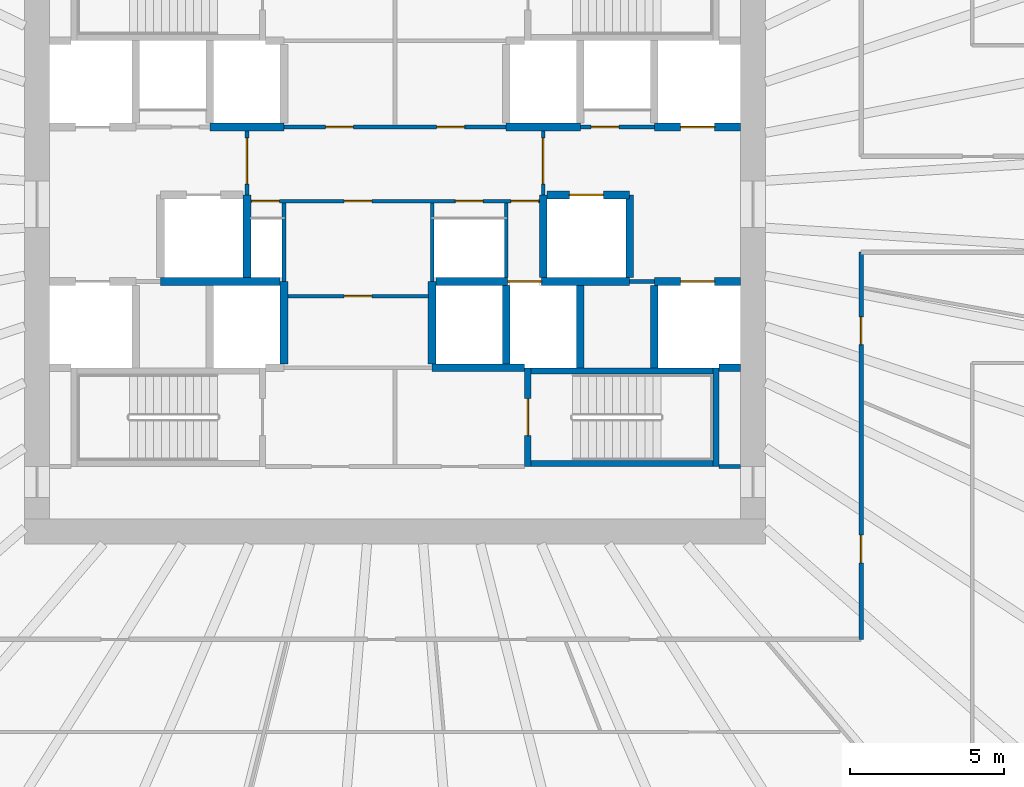
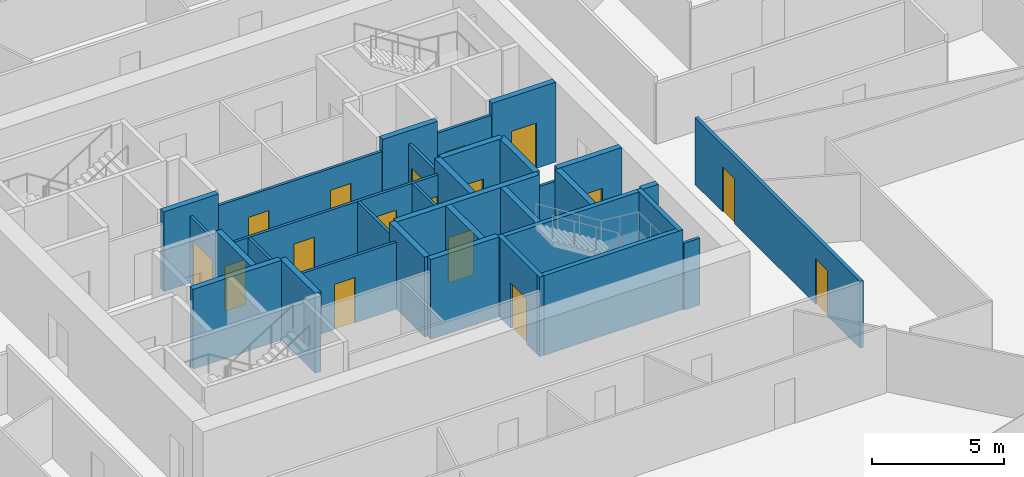
# One storey, part 7 of 10: 33 walls, 17 doors, 17 openings.
"""IFC4 building model written with IfcOpenShell, lengths in metres."""

from ifc_helpers import new_model, si_unit, direction, frame, frame_2d, origin, place, context, subcontext, project, spatial, rectangle, extrude, source, transform, mapped, material, layer, layer_set, type_object, element, fill, save


model = new_model("IFC4")

# Units and contexts
model_context = context("Model", 3, precision=1e-05, world=origin(), true_north=direction((0.0, 1.0)))
body_context = subcontext(model_context, "Body", "Model", "MODEL_VIEW")
ifc_project = project(units=[si_unit("LENGTHUNIT", "METRE"), si_unit("AREAUNIT", "SQUARE_METRE"), si_unit("VOLUMEUNIT", "CUBIC_METRE"), si_unit("PLANEANGLEUNIT", "RADIAN"), si_unit("MASSUNIT", "GRAM", prefix="KILO")], contexts=[model_context])

# Site, building, storey
site_placement = place(None, origin())
site = spatial("IfcSite", under=ifc_project, at=site_placement, CompositionType="ELEMENT")
building_placement = place(site_placement, origin())
building = spatial("IfcBuilding", under=site, at=building_placement, Name="Embergate Tower", CompositionType="ELEMENT")
storey_placement = place(building_placement, frame((0.0, 0.0, 152.10009765625)))
storey = spatial("IfcBuildingStorey", under=building, at=storey_placement, Name="L33", CompositionType="ELEMENT", Elevation=152.10009765625)

# Walls
ifc_material_1 = material(Name="Concrete C50", Category="concrete")
ifc_layer_1 = layer(ifc_material_1, 0.25)
ifc_layer_set_1 = layer_set([ifc_layer_1], Name="Concrete C50")
wall_type_1 = type_object("IfcWallType", Name="Hoistway wall reinforced concrete 250", PredefinedType="SHEAR", material=ifc_layer_set_1)
shared_shape_1 = source(origin(), body_context, "Body", "SweptSolid", [
    extrude(rectangle(XDim=2.675048828125, YDim=0.25, at=frame_2d((1.33740234375, 0.0))), origin(), (0.0, 0.0, 1.0), 3.699951171875),
])
for number, where, z_axis, x_axis, name in (
    (1, (-3.60009765625, -5.175048828125, 0.0), (0.0, 0.0, 1.0), (0.0, 1.0, 0.0), "HW-1 wall"),
    (2, (1.199951171875, -2.5, 0.0), (0.0, 0.0, 1.0), (0.0, -1.0, 0.0), "HW-1 wall"),
    (3, (-4.800048828125, 0.300048828125, 0.0), (0.0, 0.0, 1.0), (0.0, -1.0, 0.0), "HW-1 wall"),
    (4, (4.800048828125, -2.375, 0.0), (0.0, 0.0, 1.0), (0.0, 1.0, 0.0), "HW-1 wall"),
):
    element("IfcWall", number, at=place(storey_placement, frame(where, z_axis=z_axis, x_axis=x_axis)), inside=storey, type_object=wall_type_1, Name=name, PredefinedType="SHEAR", context=body_context, shape_type="MappedRepresentation", body=[
        mapped(shared_shape_1, transform((0.0, 0.0, 0.0))),
    ])

# Wall, opening, door
wall_1_placement = place(storey_placement, frame((7.60009765625, 0.300048828125, 0.0), z_axis=(0.0, 0.0, 1.0), x_axis=(-1.0, 0.0, 0.0)))
wall_1 = element("IfcWall", 5, at=wall_1_placement, inside=storey, type_object=wall_type_1, Name="HW-1 wall", PredefinedType="SHEAR", context=body_context, shape_type="MappedRepresentation", body=[
    mapped(shared_shape_1, transform((0.0, 0.0, 0.0))),
])
shared_shape_2 = source(origin(), body_context, "Body", "SweptSolid", [
    extrude(rectangle(XDim=1.10009765625, YDim=2.10009765625, at=frame_2d((0.550048828125, 1.050048828125))), frame((0.0, 0.135009765625, 0.0), z_axis=(0.0, -1.0, 0.0), x_axis=(1.0, 0.0, 0.0)), (0.0, 0.0, 1.0), 0.27001953125),
])
opening_1_placement = place(wall_1_placement, frame((0.85009765625, 0.0, 0.0)))
opening_1 = element("IfcOpeningElement", 6, at=opening_1_placement, cuts=wall_1, Name="Opening LD", PredefinedType="OPENING", context=body_context, shape_type="MappedRepresentation", body=[
    mapped(shared_shape_2, transform((0.0, 0.0, 0.0))),
])
ifc_material_2 = material(Name="Landing door sliding 1100")
door_type_1 = type_object("IfcDoorType", Name="Landing door sliding 1100", OperationType="SLIDING_TO_LEFT", PredefinedType="DOOR", material=ifc_material_2)
shared_shape_3 = source(origin(), body_context, "Body", "SweptSolid", [
    extrude(rectangle(XDim=1.10009765625, YDim=2.10009765625, at=frame_2d((0.550048828125, 1.050048828125))), frame((0.0, 0.02490234375, 0.0), z_axis=(0.0, -1.0, 0.0), x_axis=(1.0, 0.0, 0.0)), (0.0, 0.0, 1.0), 0.050048828125),
])
door_1_placement = place(opening_1_placement, origin())
door_1 = element("IfcDoor", 7, at=door_1_placement, inside=storey, type_object=door_type_1, Name="LD door", OperationType="SLIDING_TO_LEFT", OverallHeight=2.10009765625, OverallWidth=1.10009765625, PredefinedType="DOOR", context=body_context, shape_type="MappedRepresentation", body=[
    mapped(shared_shape_3, transform((0.0, 0.0, 0.0))),
])
fill(opening_1, door_1)

# Walls
wall_2_placement = place(storey_placement, frame((7.60009765625, -2.375, 0.0), z_axis=(0.0, 0.0, 1.0), x_axis=(0.0, 1.0, 0.0)))
element("IfcWall", 8, at=wall_2_placement, inside=storey, type_object=wall_type_1, Name="HW-1 wall", PredefinedType="SHEAR", context=body_context, shape_type="MappedRepresentation", body=[
    mapped(shared_shape_1, transform((0.0, 0.0, 0.0))),
])
ifc_layer_2 = layer(ifc_material_1, 0.199951171875)
ifc_layer_set_2 = layer_set([ifc_layer_2], Name="Concrete C50")
wall_type_2 = type_object("IfcWallType", Name="Stair enclosure wall reinforced concrete 250", PredefinedType="SHEAR", material=ifc_layer_set_2)
shared_shape_4 = source(origin(), body_context, "Body", "SweptSolid", [
    extrude(rectangle(XDim=6.300048828125, YDim=0.199951171875, at=frame_2d((3.14990234375, 0.0))), origin(), (0.0, 0.0, 1.0), 3.699951171875),
])
for number, where, z_axis, x_axis, name in (
    (9, (4.199951171875, -5.39990234375, 0.0), (0.0, 0.0, 1.0), (1.0, 0.0, 0.0), "SE-1 wall"),
    (10, (4.199951171875, -8.39990234375, 0.0), (0.0, 0.0, 1.0), (1.0, 0.0, 0.0), "SE-1 wall"),
):
    element("IfcWall", number, at=place(storey_placement, frame(where, z_axis=z_axis, x_axis=x_axis)), inside=storey, type_object=wall_type_2, Name=name, PredefinedType="SHEAR", context=body_context, shape_type="MappedRepresentation", body=[
        mapped(shared_shape_4, transform((0.0, 0.0, 0.0))),
    ])
shared_shape_5 = source(origin(), body_context, "Body", "SweptSolid", [
    extrude(rectangle(XDim=2.550048828125, YDim=0.25, at=frame_2d((1.27490234375, 0.0))), origin(), (0.0, 0.0, 1.0), 3.699951171875),
])
wall_3_placement = place(storey_placement, frame((3.60009765625, -5.175048828125, 0.0), z_axis=(0.0, 0.0, 1.0), x_axis=(0.0, 1.0, 0.0)))
element("IfcWall", 11, at=wall_3_placement, inside=storey, type_object=wall_type_1, Name="HW-1 wall", PredefinedType="SHEAR", context=body_context, shape_type="MappedRepresentation", body=[
    mapped(shared_shape_5, transform((0.0, 0.0, 0.0))),
])

# Wall, opening, door
shared_shape_6 = source(origin(), body_context, "Body", "SweptSolid", [
    extrude(rectangle(XDim=3.199951171875, YDim=0.199951171875, at=frame_2d((1.60009765625, 0.0))), origin(), (0.0, 0.0, 1.0), 3.699951171875),
])
wall_4_placement = place(storey_placement, frame((4.300048828125, -5.300048828125, 0.0), z_axis=(0.0, 0.0, 1.0), x_axis=(0.0, -1.0, 0.0)))
wall_4 = element("IfcWall", 12, at=wall_4_placement, inside=storey, type_object=wall_type_2, Name="SE-1 wall", PredefinedType="SHEAR", context=body_context, shape_type="MappedRepresentation", body=[
    mapped(shared_shape_6, transform((0.0, 0.0, 0.0))),
])
shared_shape_7 = source(origin(), body_context, "Body", "SweptSolid", [
    extrude(rectangle(XDim=1.199951171875, YDim=2.10009765625, at=frame_2d((0.60009765625, 1.050048828125))), frame((0.0, 0.10986328125, 0.0), z_axis=(0.0, -1.0, 0.0), x_axis=(1.0, 0.0, 0.0)), (0.0, 0.0, 1.0), 0.219970703125),
])
opening_2_placement = place(wall_4_placement, frame((1.0, 0.0, 0.0)))
opening_2 = element("IfcOpeningElement", 13, at=opening_2_placement, cuts=wall_4, Name="Opening IF-2", PredefinedType="OPENING", context=body_context, shape_type="MappedRepresentation", body=[
    mapped(shared_shape_7, transform((0.0, 0.0, 0.0))),
])
ifc_material_3 = material(Name="Stair enclosure door 1200")
door_type_2 = type_object("IfcDoorType", Name="Stair enclosure door 1200", OperationType="SINGLE_SWING_LEFT", PredefinedType="DOOR", material=ifc_material_3)
shared_shape_8 = source(origin(), body_context, "Body", "SweptSolid", [
    extrude(rectangle(XDim=1.199951171875, YDim=2.10009765625, at=frame_2d((0.60009765625, 1.050048828125))), frame((0.0, 0.02490234375, 0.0), z_axis=(0.0, -1.0, 0.0), x_axis=(1.0, 0.0, 0.0)), (0.0, 0.0, 1.0), 0.050048828125),
])
door_2_placement = place(opening_2_placement, origin())
door_2 = element("IfcDoor", 14, at=door_2_placement, inside=storey, type_object=door_type_2, Name="IF-2 door", OperationType="SINGLE_SWING_RIGHT", OverallHeight=2.10009765625, OverallWidth=1.199951171875, PredefinedType="DOOR", context=body_context, shape_type="MappedRepresentation", body=[
    mapped(shared_shape_8, transform((0.0, 0.0, 0.0))),
])
fill(opening_2, door_2)

# Walls
shared_shape_9 = source(origin(), body_context, "Body", "SweptSolid", [
    extrude(rectangle(XDim=2.39990234375, YDim=0.25, at=frame_2d((1.199951171875, 0.0))), origin(), (0.0, 0.0, 1.0), 3.699951171875),
])
for number, where, z_axis, x_axis, name in (
    (15, (-6.0, 2.5, 0.0), (0.0, 0.0, 1.0), (1.0, 0.0, 0.0), "HW-1 wall"),
    (16, (3.60009765625, 2.5, 0.0), (0.0, 0.0, 1.0), (1.0, 0.0, 0.0), "HW-1 wall"),
):
    element("IfcWall", number, at=place(storey_placement, frame(where, z_axis=z_axis, x_axis=x_axis)), inside=storey, type_object=wall_type_1, Name=name, PredefinedType="SHEAR", context=body_context, shape_type="MappedRepresentation", body=[
        mapped(shared_shape_9, transform((0.0, 0.0, 0.0))),
    ])

# Wall, opening, door
ifc_material_4 = material(Name="Core partition blockwork 120")
ifc_layer_3 = layer(ifc_material_4, 0.1201171875)
ifc_layer_set_3 = layer_set([ifc_layer_3], Name="Core partition blockwork 120")
wall_type_3 = type_object("IfcWallType", Name="Core partition blockwork 120", PredefinedType="PARTITIONING", material=ifc_layer_set_3)
shared_shape_10 = source(origin(), body_context, "Body", "SweptSolid", [
    extrude(rectangle(XDim=2.074951171875, YDim=0.1201171875, at=frame_2d((1.03759765625, 0.0))), origin(), (0.0, 0.0, 1.0), 3.099853515625),
])
wall_5_placement = place(storey_placement, frame((-4.800048828125, 2.375, 0.0), z_axis=(0.0, 0.0, 1.0), x_axis=(0.0, -1.0, 0.0)))
wall_5 = element("IfcWall", 17, at=wall_5_placement, inside=storey, type_object=wall_type_3, Name="IP-3 wall", PredefinedType="PARTITIONING", context=body_context, shape_type="MappedRepresentation", body=[
    mapped(shared_shape_10, transform((0.0, 0.0, 0.0))),
])
shared_shape_11 = source(origin(), body_context, "Body", "SweptSolid", [
    extrude(rectangle(XDim=1.5, YDim=2.10009765625, at=frame_2d((0.75, 1.050048828125))), frame((0.0, 0.070068359375, 0.0), z_axis=(0.0, -1.0, 0.0), x_axis=(1.0, 0.0, 0.0)), (0.0, 0.0, 1.0), 0.14013671875),
])
opening_3_placement = place(wall_5_placement, frame((0.22509765625, 0.0, 0.0)))
opening_3 = element("IfcOpeningElement", 18, at=opening_3_placement, cuts=wall_5, Name="Opening IF-3", PredefinedType="OPENING", context=body_context, shape_type="MappedRepresentation", body=[
    mapped(shared_shape_11, transform((0.0, 0.0, 0.0))),
])
ifc_material_5 = material(Name="Lobby fire door pair 1500")
door_type_3 = type_object("IfcDoorType", Name="Lobby fire door pair 1500", OperationType="DOUBLE_DOOR_SINGLE_SWING", PredefinedType="DOOR", material=ifc_material_5)
shared_shape_12 = source(origin(), body_context, "Body", "SweptSolid", [
    extrude(rectangle(XDim=1.5, YDim=2.10009765625, at=frame_2d((0.75, 1.050048828125))), frame((0.0, 0.02490234375, 0.0), z_axis=(0.0, -1.0, 0.0), x_axis=(1.0, 0.0, 0.0)), (0.0, 0.0, 1.0), 0.050048828125),
])
door_3_placement = place(opening_3_placement, origin())
door_3 = element("IfcDoor", 19, at=door_3_placement, inside=storey, type_object=door_type_3, Name="IF-3 door", OperationType="DOUBLE_DOOR_SINGLE_SWING", OverallHeight=2.10009765625, OverallWidth=1.5, PredefinedType="DOOR", context=body_context, shape_type="MappedRepresentation", body=[
    mapped(shared_shape_12, transform((0.0, 0.0, 0.0))),
])
fill(opening_3, door_3)

wall_6_placement = place(storey_placement, frame((4.800048828125, 0.300048828125, 0.0), z_axis=(0.0, 0.0, 1.0), x_axis=(0.0, 1.0, 0.0)))
wall_6 = element("IfcWall", 20, at=wall_6_placement, inside=storey, type_object=wall_type_3, Name="IP-3 wall", PredefinedType="PARTITIONING", context=body_context, shape_type="MappedRepresentation", body=[
    mapped(shared_shape_10, transform((0.0, 0.0, 0.0))),
])
opening_4_placement = place(wall_6_placement, frame((0.35009765625, 0.0, 0.0)))
opening_4 = element("IfcOpeningElement", 21, at=opening_4_placement, cuts=wall_6, Name="Opening IF-3", PredefinedType="OPENING", context=body_context, shape_type="MappedRepresentation", body=[
    mapped(shared_shape_11, transform((0.0, 0.0, 0.0))),
])
door_4_placement = place(opening_4_placement, origin())
door_4 = element("IfcDoor", 22, at=door_4_placement, inside=storey, type_object=door_type_3, Name="IF-3 door", OperationType="DOUBLE_DOOR_SINGLE_SWING", OverallHeight=2.10009765625, OverallWidth=1.5, PredefinedType="DOOR", context=body_context, shape_type="MappedRepresentation", body=[
    mapped(shared_shape_12, transform((0.0, 0.0, 0.0))),
])
fill(opening_4, door_4)

shared_shape_13 = source(origin(), body_context, "Body", "SweptSolid", [
    extrude(rectangle(XDim=2.800048828125, YDim=0.25, at=frame_2d((1.39990234375, 0.0))), origin(), (0.0, 0.0, 1.0), 3.699951171875),
])
wall_7_placement = place(storey_placement, frame((8.39990234375, 2.5, 0.0), z_axis=(0.0, 0.0, 1.0), x_axis=(1.0, 0.0, 0.0)))
wall_7 = element("IfcWall", 23, at=wall_7_placement, inside=storey, type_object=wall_type_1, Name="HW-1 wall", PredefinedType="SHEAR", context=body_context, shape_type="MappedRepresentation", body=[
    mapped(shared_shape_13, transform((0.0, 0.0, 0.0))),
])
opening_5_placement = place(wall_7_placement, frame((0.85009765625, 0.0, 0.0)))
opening_5 = element("IfcOpeningElement", 24, at=opening_5_placement, cuts=wall_7, Name="Opening LD", PredefinedType="OPENING", context=body_context, shape_type="MappedRepresentation", body=[
    mapped(shared_shape_2, transform((0.0, 0.0, 0.0))),
])
door_5_placement = place(opening_5_placement, origin())
door_5 = element("IfcDoor", 25, at=door_5_placement, inside=storey, type_object=door_type_1, Name="LD door", OperationType="SLIDING_TO_RIGHT", OverallHeight=2.10009765625, OverallWidth=1.10009765625, PredefinedType="DOOR", context=body_context, shape_type="MappedRepresentation", body=[
    mapped(shared_shape_3, transform((0.0, 0.0, 0.0))),
])
fill(opening_5, door_5)

wall_8_placement = place(storey_placement, frame((11.199951171875, -2.5, 0.0), z_axis=(0.0, 0.0, 1.0), x_axis=(-1.0, 0.0, 0.0)))
wall_8 = element("IfcWall", 26, at=wall_8_placement, inside=storey, type_object=wall_type_1, Name="HW-1 wall", PredefinedType="SHEAR", context=body_context, shape_type="MappedRepresentation", body=[
    mapped(shared_shape_13, transform((0.0, 0.0, 0.0))),
])
opening_6_placement = place(wall_8_placement, frame((0.85009765625, 0.0, 0.0)))
opening_6 = element("IfcOpeningElement", 27, at=opening_6_placement, cuts=wall_8, Name="Opening LD", PredefinedType="OPENING", context=body_context, shape_type="MappedRepresentation", body=[
    mapped(shared_shape_2, transform((0.0, 0.0, 0.0))),
])
door_6_placement = place(opening_6_placement, origin())
door_6 = element("IfcDoor", 28, at=door_6_placement, inside=storey, type_object=door_type_1, Name="LD door", OperationType="SLIDING_TO_LEFT", OverallHeight=2.10009765625, OverallWidth=1.10009765625, PredefinedType="DOOR", context=body_context, shape_type="MappedRepresentation", body=[
    mapped(shared_shape_3, transform((0.0, 0.0, 0.0))),
])
fill(opening_6, door_6)

# Wall
shared_shape_14 = source(origin(), body_context, "Body", "SweptSolid", [
    extrude(rectangle(XDim=3.872802734375, YDim=0.25, at=frame_2d((1.9365234375, 0.0))), origin(), (0.0, 0.0, 1.0), 3.699951171875),
])
wall_9_placement = place(storey_placement, frame((-3.72509765625, -2.5, 0.0), z_axis=(0.0, 0.0, 1.0), x_axis=(-1.0, 0.0, 0.0)))
element("IfcWall", 29, at=wall_9_placement, inside=storey, type_object=wall_type_1, Name="HW-1 wall", PredefinedType="SHEAR", context=body_context, shape_type="MappedRepresentation", body=[
    mapped(shared_shape_14, transform((0.0, 0.0, 0.0))),
])

# Wall, opening, door
shared_shape_15 = source(origin(), body_context, "Body", "SweptSolid", [
    extrude(rectangle(XDim=6.27294921875, YDim=0.25, at=frame_2d((3.136474609375, 0.0))), origin(), (0.0, 0.0, 1.0), 3.699951171875),
])
wall_10_placement = place(storey_placement, frame((7.597900390625, -2.5, 0.0), z_axis=(0.0, 0.0, 1.0), x_axis=(-1.0, 0.0, 0.0)))
wall_10 = element("IfcWall", 30, at=wall_10_placement, inside=storey, type_object=wall_type_1, Name="HW-1 wall", PredefinedType="SHEAR", context=body_context, shape_type="MappedRepresentation", body=[
    mapped(shared_shape_15, transform((0.0, 0.0, 0.0))),
])
opening_7_placement = place(wall_10_placement, frame((2.847900390625, 0.0, 0.0)))
opening_7 = element("IfcOpeningElement", 31, at=opening_7_placement, cuts=wall_10, Name="Opening LD", PredefinedType="OPENING", context=body_context, shape_type="MappedRepresentation", body=[
    mapped(shared_shape_2, transform((0.0, 0.0, 0.0))),
])
door_7_placement = place(opening_7_placement, origin())
door_7 = element("IfcDoor", 32, at=door_7_placement, inside=storey, type_object=door_type_1, Name="LD door", OperationType="SLIDING_TO_LEFT", OverallHeight=2.10009765625, OverallWidth=1.10009765625, PredefinedType="DOOR", context=body_context, shape_type="MappedRepresentation", body=[
    mapped(shared_shape_3, transform((0.0, 0.0, 0.0))),
])
fill(opening_7, door_7)

# Walls
shared_shape_16 = source(origin(), body_context, "Body", "SweptSolid", [
    extrude(rectangle(XDim=3.0, YDim=0.25, at=frame_2d((1.5, 0.0))), origin(), (0.0, 0.0, 1.0), 3.699951171875),
])
wall_11_placement = place(storey_placement, frame((1.199951171875, -5.300048828125, 0.0), z_axis=(0.0, 0.0, 1.0), x_axis=(1.0, 0.0, 0.0)))
element("IfcWall", 33, at=wall_11_placement, inside=storey, type_object=wall_type_1, Name="HW-1 wall", PredefinedType="SHEAR", context=body_context, shape_type="MappedRepresentation", body=[
    mapped(shared_shape_16, transform((0.0, 0.0, 0.0))),
])
shared_shape_17 = source(origin(), body_context, "Body", "SweptSolid", [
    extrude(rectangle(XDim=3.196044921875, YDim=0.199951171875, at=frame_2d((1.59814453125, 0.0))), origin(), (0.0, 0.0, 1.0), 3.699951171875),
])
wall_12_placement = place(storey_placement, frame((10.39990234375, -8.498046875, 0.0), z_axis=(0.0, 0.0, 1.0), x_axis=(0.0, 1.0, 0.0)))
element("IfcWall", 34, at=wall_12_placement, inside=storey, type_object=wall_type_2, Name="SE-1 wall", PredefinedType="SHEAR", context=body_context, shape_type="MappedRepresentation", body=[
    mapped(shared_shape_17, transform((0.0, 0.0, 0.0))),
])
shared_shape_18 = source(origin(), body_context, "Body", "SweptSolid", [
    extrude(rectangle(XDim=0.697998046875, YDim=0.25, at=frame_2d((0.34912109375, 0.0))), origin(), (0.0, 0.0, 1.0), 3.699951171875),
])
wall_13_placement = place(storey_placement, frame((10.501953125, -5.300048828125, 0.0), z_axis=(0.0, 0.0, 1.0), x_axis=(1.0, 0.0, 0.0)))
element("IfcWall", 35, at=wall_13_placement, inside=storey, type_object=wall_type_1, Name="HW-1 wall", PredefinedType="SHEAR", context=body_context, shape_type="MappedRepresentation", body=[
    mapped(shared_shape_18, transform((0.0, 0.0, 0.0))),
])
shared_shape_19 = source(origin(), body_context, "Body", "SweptSolid", [
    extrude(rectangle(XDim=2.671142578125, YDim=0.25, at=frame_2d((1.33544921875, 0.0))), origin(), (0.0, 0.0, 1.0), 3.699951171875),
])
for number, where, z_axis, x_axis, name in (
    (36, (6.0, -5.298095703125, 0.0), (0.0, 0.0, 1.0), (0.0, 1.0, 0.0), "HW-1 wall"),
    (37, (8.39990234375, -2.626953125, 0.0), (0.0, 0.0, 1.0), (0.0, -1.0, 0.0), "HW-1 wall"),
):
    element("IfcWall", number, at=place(storey_placement, frame(where, z_axis=z_axis, x_axis=x_axis)), inside=storey, type_object=wall_type_1, Name=name, PredefinedType="SHEAR", context=body_context, shape_type="MappedRepresentation", body=[
        mapped(shared_shape_19, transform((0.0, 0.0, 0.0))),
    ])

# Wall, opening, door
shared_shape_20 = source(origin(), body_context, "Body", "SweptSolid", [
    extrude(rectangle(XDim=2.39990234375, YDim=0.1201171875, at=frame_2d((1.199951171875, 0.0))), origin(), (0.0, 0.0, 1.0), 3.099853515625),
])
wall_14_placement = place(storey_placement, frame((6.0, 2.5, 0.0), z_axis=(0.0, 0.0, 1.0), x_axis=(1.0, 0.0, 0.0)))
wall_14 = element("IfcWall", 38, at=wall_14_placement, inside=storey, type_object=wall_type_3, Name="IP-3 wall", PredefinedType="PARTITIONING", context=body_context, shape_type="MappedRepresentation", body=[
    mapped(shared_shape_20, transform((0.0, 0.0, 0.0))),
])
shared_shape_21 = source(origin(), body_context, "Body", "SweptSolid", [
    extrude(rectangle(XDim=0.89990234375, YDim=2.10009765625, at=frame_2d((0.449951171875, 1.050048828125))), frame((0.0, 0.070068359375, 0.0), z_axis=(0.0, -1.0, 0.0), x_axis=(1.0, 0.0, 0.0)), (0.0, 0.0, 1.0), 0.14013671875),
])
opening_8_placement = place(wall_14_placement, frame((0.35009765625, 0.0, 0.0)))
opening_8 = element("IfcOpeningElement", 39, at=opening_8_placement, cuts=wall_14, Name="Opening ID-1", PredefinedType="OPENING", context=body_context, shape_type="MappedRepresentation", body=[
    mapped(shared_shape_21, transform((0.0, 0.0, 0.0))),
])
ifc_material_6 = material(Name="Interior door 900")
door_type_4 = type_object("IfcDoorType", Name="Interior door 900", OperationType="SINGLE_SWING_LEFT", PredefinedType="DOOR", material=ifc_material_6)
shared_shape_22 = source(origin(), body_context, "Body", "SweptSolid", [
    extrude(rectangle(XDim=0.89990234375, YDim=2.10009765625, at=frame_2d((0.449951171875, 1.050048828125))), frame((0.0, 0.02490234375, 0.0), z_axis=(0.0, -1.0, 0.0), x_axis=(1.0, 0.0, 0.0)), (0.0, 0.0, 1.0), 0.050048828125),
])
door_8_placement = place(opening_8_placement, origin())
door_8 = element("IfcDoor", 40, at=door_8_placement, inside=storey, type_object=door_type_4, Name="ID-1 door", OperationType="SINGLE_SWING_LEFT", OverallHeight=2.10009765625, OverallWidth=0.89990234375, PredefinedType="DOOR", context=body_context, shape_type="MappedRepresentation", body=[
    mapped(shared_shape_22, transform((0.0, 0.0, 0.0))),
])
fill(opening_8, door_8)

# Wall, openings, doors
shared_shape_23 = source(origin(), body_context, "Body", "SweptSolid", [
    extrude(rectangle(XDim=9.35009765625, YDim=0.1201171875, at=frame_2d((4.675048828125, 0.0))), origin(), (0.0, 0.0, 1.0), 3.099853515625),
])
wall_15_placement = place(storey_placement, frame((-4.675048828125, 0.10009765625, 0.0), z_axis=(0.0, 0.0, 1.0), x_axis=(1.0, 0.0, 0.0)))
wall_15 = element("IfcWall", 41, at=wall_15_placement, inside=storey, type_object=wall_type_3, Name="IP-3 wall", PredefinedType="PARTITIONING", context=body_context, shape_type="MappedRepresentation", body=[
    mapped(shared_shape_23, transform((0.0, 0.0, 0.0))),
])
opening_9_placement = place(wall_15_placement, frame((8.425048828125, 0.0, 0.0)))
opening_9 = element("IfcOpeningElement", 42, at=opening_9_placement, cuts=wall_15, Name="Opening IF-3c", PredefinedType="OPENING", context=body_context, shape_type="MappedRepresentation", body=[
    mapped(shared_shape_21, transform((0.0, 0.0, 0.0))),
])
opening_10_placement = place(wall_15_placement, frame((0.02490234375, 0.0, 0.0)))
opening_10 = element("IfcOpeningElement", 43, at=opening_10_placement, cuts=wall_15, Name="Opening ID-1", PredefinedType="OPENING", context=body_context, shape_type="MappedRepresentation", body=[
    mapped(shared_shape_21, transform((0.0, 0.0, 0.0))),
])
opening_11_placement = place(wall_15_placement, frame((6.625, 0.0, 0.0)))
opening_11 = element("IfcOpeningElement", 44, at=opening_11_placement, cuts=wall_15, Name="Opening ID-1", PredefinedType="OPENING", context=body_context, shape_type="MappedRepresentation", body=[
    mapped(shared_shape_21, transform((0.0, 0.0, 0.0))),
])
opening_12_placement = place(wall_15_placement, frame((3.02490234375, 0.0, 0.0)))
opening_12 = element("IfcOpeningElement", 45, at=opening_12_placement, cuts=wall_15, Name="Opening ID-1", PredefinedType="OPENING", context=body_context, shape_type="MappedRepresentation", body=[
    mapped(shared_shape_21, transform((0.0, 0.0, 0.0))),
])
ifc_material_7 = material(Name="Lobby fire door pair 900")
door_type_5 = type_object("IfcDoorType", Name="Lobby fire door pair 900", OperationType="DOUBLE_DOOR_SINGLE_SWING", PredefinedType="DOOR", material=ifc_material_7)
door_9_placement = place(opening_9_placement, origin())
door_9 = element("IfcDoor", 46, at=door_9_placement, inside=storey, type_object=door_type_5, Name="IF-3 door", OperationType="DOUBLE_DOOR_SINGLE_SWING", OverallHeight=2.10009765625, OverallWidth=0.89990234375, PredefinedType="DOOR", context=body_context, shape_type="MappedRepresentation", body=[
    mapped(shared_shape_22, transform((0.0, 0.0, 0.0))),
])
fill(opening_9, door_9)
door_10_placement = place(opening_10_placement, origin())
door_10 = element("IfcDoor", 47, at=door_10_placement, inside=storey, type_object=door_type_4, Name="ID-1 door", OperationType="SINGLE_SWING_LEFT", OverallHeight=2.10009765625, OverallWidth=0.89990234375, PredefinedType="DOOR", context=body_context, shape_type="MappedRepresentation", body=[
    mapped(shared_shape_22, transform((0.0, 0.0, 0.0))),
])
fill(opening_10, door_10)
door_11_placement = place(opening_11_placement, origin())
door_11 = element("IfcDoor", 48, at=door_11_placement, inside=storey, type_object=door_type_4, Name="ID-1 door", OperationType="SINGLE_SWING_RIGHT", OverallHeight=2.10009765625, OverallWidth=0.89990234375, PredefinedType="DOOR", context=body_context, shape_type="MappedRepresentation", body=[
    mapped(shared_shape_22, transform((0.0, 0.0, 0.0))),
])
fill(opening_11, door_11)
door_12_placement = place(opening_12_placement, origin())
door_12 = element("IfcDoor", 49, at=door_12_placement, inside=storey, type_object=door_type_4, Name="ID-1 door", OperationType="SINGLE_SWING_LEFT", OverallHeight=2.10009765625, OverallWidth=0.89990234375, PredefinedType="DOOR", context=body_context, shape_type="MappedRepresentation", body=[
    mapped(shared_shape_22, transform((0.0, 0.0, 0.0))),
])
fill(opening_12, door_12)

shared_shape_24 = source(origin(), body_context, "Body", "SweptSolid", [
    extrude(rectangle(XDim=7.2001953125, YDim=0.1201171875, at=frame_2d((3.60009765625, 0.0))), origin(), (0.0, 0.0, 1.0), 3.099853515625),
])
wall_16_placement = place(storey_placement, frame((3.60009765625, 2.5, 0.0), z_axis=(0.0, 0.0, 1.0), x_axis=(-1.0, 0.0, 0.0)))
wall_16 = element("IfcWall", 50, at=wall_16_placement, inside=storey, type_object=wall_type_3, Name="IP-3 wall", PredefinedType="PARTITIONING", context=body_context, shape_type="MappedRepresentation", body=[
    mapped(shared_shape_24, transform((0.0, 0.0, 0.0))),
])
opening_13_placement = place(wall_16_placement, frame((4.949951171875, 0.0, 0.0)))
opening_13 = element("IfcOpeningElement", 51, at=opening_13_placement, cuts=wall_16, Name="Opening ID-1", PredefinedType="OPENING", context=body_context, shape_type="MappedRepresentation", body=[
    mapped(shared_shape_21, transform((0.0, 0.0, 0.0))),
])
opening_14_placement = place(wall_16_placement, frame((1.35009765625, 0.0, 0.0)))
opening_14 = element("IfcOpeningElement", 52, at=opening_14_placement, cuts=wall_16, Name="Opening ID-1", PredefinedType="OPENING", context=body_context, shape_type="MappedRepresentation", body=[
    mapped(shared_shape_21, transform((0.0, 0.0, 0.0))),
])
door_13_placement = place(opening_13_placement, origin())
door_13 = element("IfcDoor", 53, at=door_13_placement, inside=storey, type_object=door_type_4, Name="ID-1 door", OperationType="SINGLE_SWING_RIGHT", OverallHeight=2.10009765625, OverallWidth=0.89990234375, PredefinedType="DOOR", context=body_context, shape_type="MappedRepresentation", body=[
    mapped(shared_shape_22, transform((0.0, 0.0, 0.0))),
])
fill(opening_13, door_13)
door_14_placement = place(opening_14_placement, origin())
door_14 = element("IfcDoor", 54, at=door_14_placement, inside=storey, type_object=door_type_4, Name="ID-1 door", OperationType="SINGLE_SWING_LEFT", OverallHeight=2.10009765625, OverallWidth=0.89990234375, PredefinedType="DOOR", context=body_context, shape_type="MappedRepresentation", body=[
    mapped(shared_shape_22, transform((0.0, 0.0, 0.0))),
])
fill(opening_14, door_14)

# Walls
shared_shape_25 = source(origin(), body_context, "Body", "SweptSolid", [
    extrude(rectangle(XDim=2.5400390625, YDim=0.1201171875, at=frame_2d((1.27001953125, 0.0))), origin(), (0.0, 0.0, 1.0), 3.099853515625),
])
for number, where, z_axis, x_axis, name in (
    (55, (-3.60009765625, -2.5, 0.0), (0.0, 0.0, 1.0), (0.0, 1.0, 0.0), "IP-3 wall"),
    (56, (1.199951171875, 0.0400390625, 0.0), (0.0, 0.0, 1.0), (0.0, -1.0, 0.0), "IP-3 wall"),
):
    element("IfcWall", number, at=place(storey_placement, frame(where, z_axis=z_axis, x_axis=x_axis)), inside=storey, type_object=wall_type_3, Name=name, PredefinedType="PARTITIONING", context=body_context, shape_type="MappedRepresentation", body=[
        mapped(shared_shape_25, transform((0.0, 0.0, 0.0))),
    ])
shared_shape_26 = source(origin(), body_context, "Body", "SweptSolid", [
    extrude(rectangle(XDim=2.4150390625, YDim=0.1201171875, at=frame_2d((1.20751953125, 0.0))), origin(), (0.0, 0.0, 1.0), 3.099853515625),
])
wall_17_placement = place(storey_placement, frame((3.60009765625, -2.375, 0.0), z_axis=(0.0, 0.0, 1.0), x_axis=(0.0, 1.0, 0.0)))
element("IfcWall", 57, at=wall_17_placement, inside=storey, type_object=wall_type_3, Name="IP-3 wall", PredefinedType="PARTITIONING", context=body_context, shape_type="MappedRepresentation", body=[
    mapped(shared_shape_26, transform((0.0, 0.0, 0.0))),
])
shared_shape_27 = source(origin(), body_context, "Body", "SweptSolid", [
    extrude(rectangle(XDim=0.7958984375, YDim=0.1201171875, at=frame_2d((0.39794921875, 0.0))), origin(), (0.0, 0.0, 1.0), 3.099853515625),
])
wall_18_placement = place(storey_placement, frame((7.60205078125, -2.5, 0.0), z_axis=(0.0, 0.0, 1.0), x_axis=(1.0, 0.0, 0.0)))
element("IfcWall", 58, at=wall_18_placement, inside=storey, type_object=wall_type_3, Name="IP-3 wall", PredefinedType="PARTITIONING", context=body_context, shape_type="MappedRepresentation", body=[
    mapped(shared_shape_27, transform((0.0, 0.0, 0.0))),
])
shared_shape_28 = source(origin(), body_context, "Body", "SweptSolid", [
    extrude(rectangle(XDim=0.697998046875, YDim=0.1201171875, at=frame_2d((0.34912109375, 0.0))), origin(), (0.0, 0.0, 1.0), 3.099853515625),
])
wall_19_placement = place(storey_placement, frame((11.199951171875, -8.5, 0.0), z_axis=(0.0, 0.0, 1.0), x_axis=(-1.0, 0.0, 0.0)))
element("IfcWall", 59, at=wall_19_placement, inside=storey, type_object=wall_type_3, Name="IP-3 wall", PredefinedType="PARTITIONING", context=body_context, shape_type="MappedRepresentation", body=[
    mapped(shared_shape_28, transform((0.0, 0.0, 0.0))),
])

# Wall, openings, doors
ifc_material_8 = material(Name="Corridor wall dry-lined 150")
ifc_layer_4 = layer(ifc_material_8, 0.14990234375)
ifc_layer_set_4 = layer_set([ifc_layer_4], Name="Corridor wall dry-lined 150")
wall_type_4 = type_object("IfcWallType", Name="Corridor wall dry-lined 150", PredefinedType="PARTITIONING", material=ifc_layer_set_4)
shared_shape_29 = source(origin(), body_context, "Body", "SweptSolid", [
    extrude(rectangle(XDim=12.550048828125, YDim=0.14990234375, at=frame_2d((6.27490234375, 0.0))), origin(), (0.0, 0.0, 1.0), 3.099853515625),
])
wall_20_placement = place(storey_placement, frame((15.10009765625, -1.550048828125, 0.0), z_axis=(0.0, 0.0, 1.0), x_axis=(0.0, -1.0, 0.0)))
wall_20 = element("IfcWall", 60, at=wall_20_placement, inside=storey, type_object=wall_type_4, Name="IP-2 wall", PredefinedType="PARTITIONING", context=body_context, shape_type="MappedRepresentation", body=[
    mapped(shared_shape_29, transform((0.0, 0.0, 0.0))),
])
shared_shape_30 = source(origin(), body_context, "Body", "SweptSolid", [
    extrude(rectangle(XDim=0.89990234375, YDim=2.10009765625, at=frame_2d((0.449951171875, 1.050048828125))), frame((0.0, 0.0849609375, 0.0), z_axis=(0.0, -1.0, 0.0), x_axis=(1.0, 0.0, 0.0)), (0.0, 0.0, 1.0), 0.169921875),
])
opening_15_placement = place(wall_20_placement, frame((9.173095703125, 0.0, 0.0)))
opening_15 = element("IfcOpeningElement", 61, at=opening_15_placement, cuts=wall_20, Name="Opening IF-1c", PredefinedType="OPENING", context=body_context, shape_type="MappedRepresentation", body=[
    mapped(shared_shape_30, transform((0.0, 0.0, 0.0))),
])
opening_16_placement = place(wall_20_placement, frame((2.096923828125, 0.0, 0.0)))
opening_16 = element("IfcOpeningElement", 62, at=opening_16_placement, cuts=wall_20, Name="Opening IF-1c", PredefinedType="OPENING", context=body_context, shape_type="MappedRepresentation", body=[
    mapped(shared_shape_30, transform((0.0, 0.0, 0.0))),
])
ifc_material_9 = material(Name="Escape fire door 900")
door_type_6 = type_object("IfcDoorType", Name="Escape fire door 900", OperationType="SINGLE_SWING_LEFT", PredefinedType="DOOR", material=ifc_material_9)
door_15_placement = place(opening_15_placement, origin())
door_15 = element("IfcDoor", 63, at=door_15_placement, inside=storey, type_object=door_type_6, Name="IF-1 door", OperationType="SINGLE_SWING_RIGHT", OverallHeight=2.10009765625, OverallWidth=0.89990234375, PredefinedType="DOOR", context=body_context, shape_type="MappedRepresentation", body=[
    mapped(shared_shape_22, transform((0.0, 0.0, 0.0))),
])
fill(opening_15, door_15)
door_16_placement = place(opening_16_placement, origin())
door_16 = element("IfcDoor", 64, at=door_16_placement, inside=storey, type_object=door_type_6, Name="IF-1 door", OperationType="SINGLE_SWING_LEFT", OverallHeight=2.10009765625, OverallWidth=0.89990234375, PredefinedType="DOOR", context=body_context, shape_type="MappedRepresentation", body=[
    mapped(shared_shape_22, transform((0.0, 0.0, 0.0))),
])
fill(opening_16, door_16)

# Wall, opening, door
shared_shape_31 = source(origin(), body_context, "Body", "SweptSolid", [
    extrude(rectangle(XDim=4.550048828125, YDim=0.1201171875, at=frame_2d((2.27490234375, 0.0))), origin(), (0.0, 0.0, 1.0), 3.099853515625),
])
wall_21_placement = place(storey_placement, frame((1.074951171875, -2.97802734375, 0.0), z_axis=(0.0, 0.0, 1.0), x_axis=(-1.0, 0.0, 0.0)))
wall_21 = element("IfcWall", 65, at=wall_21_placement, inside=storey, type_object=wall_type_3, Name="IP-3 wall", PredefinedType="PARTITIONING", context=body_context, shape_type="MappedRepresentation", body=[
    mapped(shared_shape_31, transform((0.0, 0.0, 0.0))),
])
opening_17_placement = place(wall_21_placement, frame((1.824951171875, 0.0, 0.0)))
opening_17 = element("IfcOpeningElement", 66, at=opening_17_placement, cuts=wall_21, Name="Opening ID-1", PredefinedType="OPENING", context=body_context, shape_type="MappedRepresentation", body=[
    mapped(shared_shape_21, transform((0.0, 0.0, 0.0))),
])
door_17_placement = place(opening_17_placement, origin())
door_17 = element("IfcDoor", 67, at=door_17_placement, inside=storey, type_object=door_type_4, Name="ID-1 door", OperationType="SINGLE_SWING_LEFT", OverallHeight=2.10009765625, OverallWidth=0.89990234375, PredefinedType="DOOR", context=body_context, shape_type="MappedRepresentation", body=[
    mapped(shared_shape_22, transform((0.0, 0.0, 0.0))),
])
fill(opening_17, door_17)

save(model, "model.ifc")
